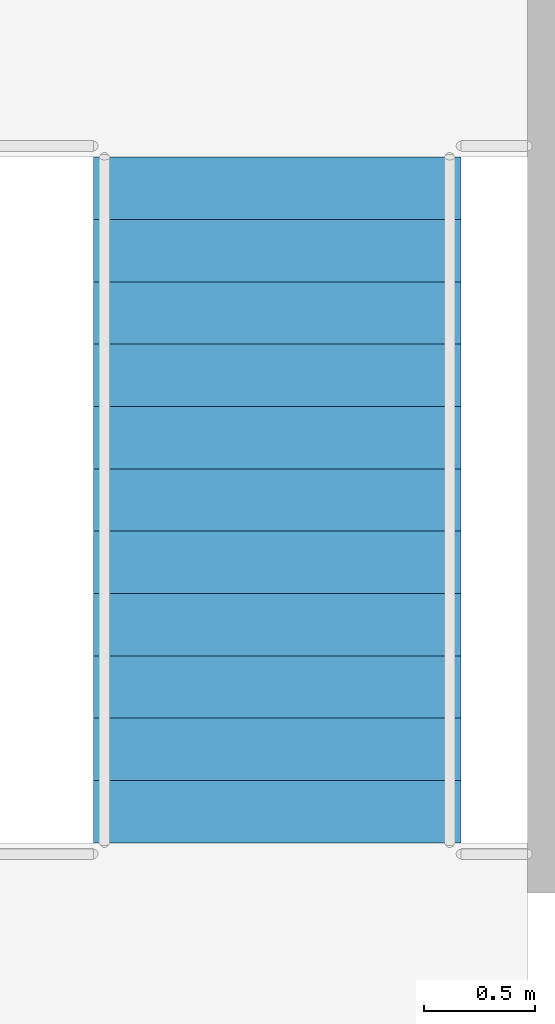
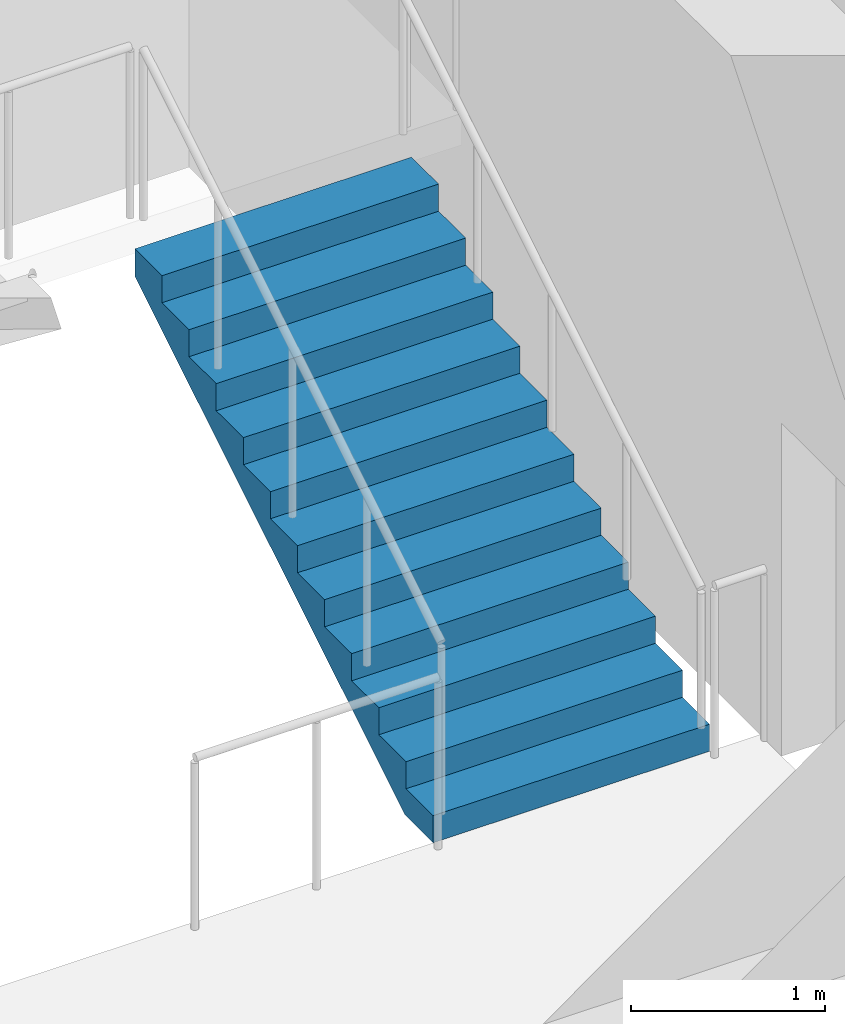
# One storey, part 8 of 17: 1 stair flight, 1 element without a shape of its own.
"""IFC4 building model written with IfcOpenShell, lengths in metres."""

from ifc_helpers import new_model, si_unit, direction, frame, origin, place, context, subcontext, project, spatial, polyline, outline, extrude, material, type_object, element, aggregate, save


model = new_model("IFC4")

# Units and contexts
model_context = context("Model", 3, precision=1e-05, world=origin(), true_north=direction((0.0, 1.0)))
body_context = subcontext(model_context, "Body", "Model", "MODEL_VIEW")
ifc_project = project(units=[si_unit("LENGTHUNIT", "METRE"), si_unit("AREAUNIT", "SQUARE_METRE"), si_unit("VOLUMEUNIT", "CUBIC_METRE"), si_unit("PLANEANGLEUNIT", "RADIAN"), si_unit("MASSUNIT", "GRAM", prefix="KILO")], contexts=[model_context])

# Site, building, storey
site_placement = place(None, origin())
site = spatial("IfcSite", under=ifc_project, at=site_placement, CompositionType="ELEMENT")
building_placement = place(site_placement, origin())
building = spatial("IfcBuilding", under=site, at=building_placement, Name="Corbel Stack Research Tower", CompositionType="ELEMENT")
storey_placement = place(building_placement, frame((0.0, 0.0, 256.199951171875)))
storey = spatial("IfcBuildingStorey", under=building, at=storey_placement, Name="L58", CompositionType="ELEMENT", Elevation=256.199951171875)

# Stair, stair flight
ifc_material_1 = material(Name="Concrete C40/50", Category="concrete")
stair_type = type_object("IfcStairType", Name="Exit stair 24 risers", PredefinedType="HALF_TURN_STAIR", material=ifc_material_1)
stair_placement = place(storey_placement, origin())
stair = element("IfcStair", 1, at=stair_placement, inside=storey, type_object=stair_type, Name="L58 Exit stair ST-E2", PredefinedType="HALF_TURN_STAIR")
ifc_material_2 = material(Name="Concrete C40/50", Category="concrete")
stair_flight_type = type_object("IfcStairFlightType", Name="Stair flight 12 risers", PredefinedType="STRAIGHT", material=ifc_material_2)
stair_flight_placement = place(storey_placement, frame((16.175048828125, 11.89990234375, 0.0), z_axis=(0.0, 0.0, 1.0), x_axis=(0.0, 1.0, 0.0)))
stair_flight = element("IfcStairFlight", 2, at=stair_flight_placement, type_object=stair_flight_type, Name="ST-E2 flight 1", NumberOfRisers=12, NumberOfTreads=11, PredefinedType="STRAIGHT", RiserHeight=0.170833333, TreadLength=0.28, context=body_context, shape_type="SweptSolid", body=[
    extrude(outline(polyline([(0.0, 0.0), (0.0, 0.1708984375), (0.280029296875, 0.1708984375), (0.280029296875, 0.341552734375), (0.56005859375, 0.341552734375), (0.56005859375, 0.512451171875), (0.840087890625, 0.512451171875), (0.840087890625, 0.683349609375), (1.1201171875, 0.683349609375), (1.1201171875, 0.854248046875), (1.39990234375, 0.854248046875), (1.39990234375, 1.02490234375), (1.679931640625, 1.02490234375), (1.679931640625, 1.19580078125), (1.9599609375, 1.19580078125), (1.9599609375, 1.36669921875), (2.239990234375, 1.36669921875), (2.239990234375, 1.53759765625), (2.52001953125, 1.53759765625), (2.52001953125, 1.708251953125), (2.800048828125, 1.708251953125), (2.800048828125, 1.879150390625), (3.080078125, 1.879150390625), (3.080078125, 2.050048828125), (3.080078125, 1.70361328125), (0.287841796875, 0.0), (0.0, 0.0)])), frame((0.0, 0.824951171875, 0.0), z_axis=(0.0, -1.0, 0.0), x_axis=(1.0, 0.0, 0.0)), (0.0, 0.0, 1.0), 1.64990234375),
])
aggregate(stair, [stair_flight])

save(model, "model.ifc")
